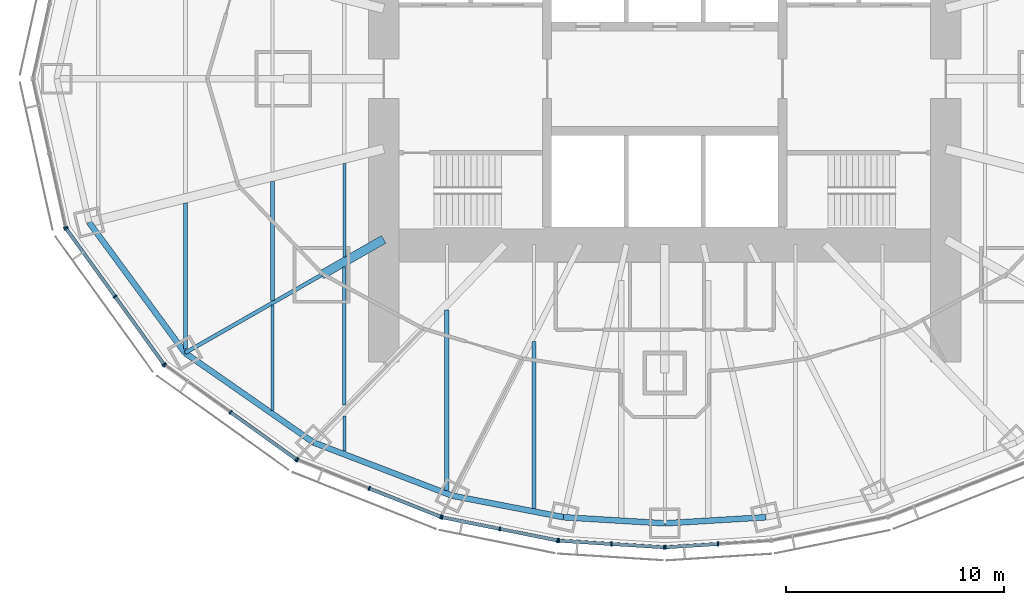
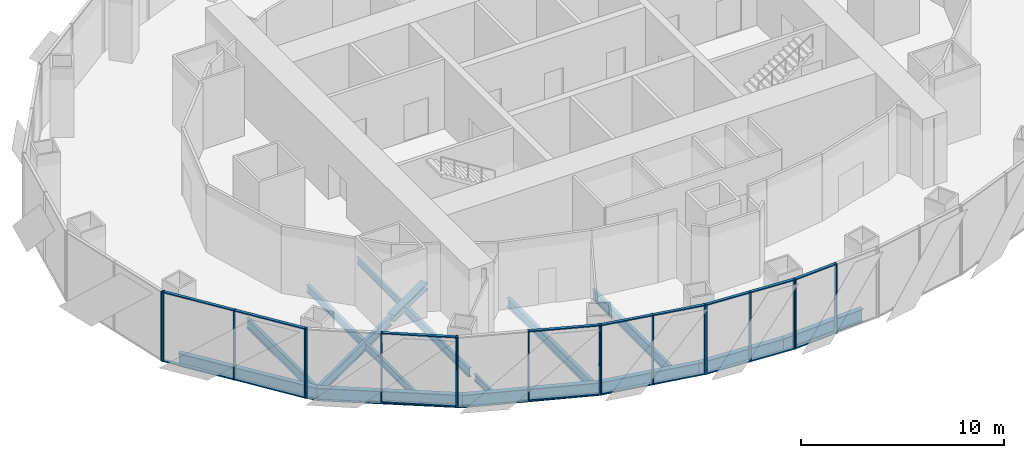
# One storey, part 2 of 18: 36 members, 16 beams, 7 elements without a shape of their own.
"""IFC4 building model written with IfcOpenShell, lengths in metres."""

from ifc_helpers import new_model, si_unit, direction, frame, origin, origin_2d, place, context, subcontext, project, spatial, rectangle, i_section, extrude, material, material_profile, profile_set, type_object, element, aggregate, save


model = new_model("IFC4")

# Units and contexts
model_context = context("Model", 3, precision=1e-05, world=origin(), true_north=direction((0.0, 1.0)))
body_context = subcontext(model_context, "Body", "Model", "MODEL_VIEW")
ifc_project = project(units=[si_unit("LENGTHUNIT", "METRE"), si_unit("AREAUNIT", "SQUARE_METRE"), si_unit("VOLUMEUNIT", "CUBIC_METRE"), si_unit("PLANEANGLEUNIT", "RADIAN"), si_unit("MASSUNIT", "GRAM", prefix="KILO")], contexts=[model_context])

# Site, building, storey
site_placement = place(None, origin())
site = spatial("IfcSite", under=ifc_project, at=site_placement, CompositionType="ELEMENT")
building_placement = place(site_placement, origin())
building = spatial("IfcBuilding", under=site, at=building_placement, Name="Lantaw Convention Tower", CompositionType="ELEMENT")
storey_placement = place(building_placement, frame((0.0, 0.0, 180.39990234375)))
storey = spatial("IfcBuildingStorey", under=building, at=storey_placement, Name="L42", CompositionType="ELEMENT", Elevation=180.39990234375)

# Beams
ifc_material_1 = material(Name="Steel ASTM A992", Category="steel")
ifc_material_profile_1 = material_profile(ifc_material_1, i_section(OverallWidth=0.2666015625, OverallDepth=0.76953125, WebThickness=0.015625, FlangeThickness=0.025390625, FilletRadius=0.0126953125, at=origin_2d()), Name="W30X132")
ifc_profile_set_1 = profile_set([ifc_material_profile_1], Name="Steel ASTM A992")
beam_type_1 = type_object("IfcBeamType", Name="Beam E W30X132", PredefinedType="SPANDREL", material=ifc_profile_set_1)
beam_1_placement = place(storey_placement, frame((-26.419921875, -6.587158203125, -0.53466796875), z_axis=(0.5923891972, -0.805651934176, 0.0), x_axis=(0.805651934176, 0.5923891972, 0.0)))
element("IfcBeam", 1, at=beam_1_placement, inside=storey, type_object=beam_type_1, Name="Edge beam 14", PredefinedType="SPANDREL", context=body_context, shape_type="SweptSolid", body=[
    extrude(i_section(OverallWidth=0.2666015625, OverallDepth=0.76953125, WebThickness=0.015625, FlangeThickness=0.025390625, FilletRadius=0.0126953125, at=origin_2d()), origin(), (0.0, 0.0, 1.0), 7.437744140625),
])
beam_2_placement = place(storey_placement, frame((-22.013916015625, -12.579345703125, -0.53466796875), z_axis=(0.820310765287, -0.57191804339, 0.0), x_axis=(0.57191804339, 0.820310765287, 0.0)))
element("IfcBeam", 2, at=beam_2_placement, inside=storey, type_object=beam_type_1, Name="Edge beam 15", PredefinedType="SPANDREL", context=body_context, shape_type="SweptSolid", body=[
    extrude(i_section(OverallWidth=0.2666015625, OverallDepth=0.76953125, WebThickness=0.015625, FlangeThickness=0.025390625, FilletRadius=0.0126953125, at=origin_2d()), origin(), (0.0, 0.0, 1.0), 7.187744140625),
])
beam_3_placement = place(storey_placement, frame((-16.11767578125, -16.690185546875, -0.53466796875), z_axis=(0.933691081977, -0.358079549033, 0.0), x_axis=(0.358079549033, 0.933691081977, 0.0)))
element("IfcBeam", 3, at=beam_3_placement, inside=storey, type_object=beam_type_1, Name="Edge beam 16", PredefinedType="SPANDREL", context=body_context, shape_type="SweptSolid", body=[
    extrude(i_section(OverallWidth=0.2666015625, OverallDepth=0.76953125, WebThickness=0.015625, FlangeThickness=0.025390625, FilletRadius=0.0126953125, at=origin_2d()), origin(), (0.0, 0.0, 1.0), 6.821533203125),
])
beam_4_placement = place(storey_placement, frame((-9.74853515625, -19.1328125, -0.53466796875), z_axis=(0.981796805654, -0.189934284446, 0.0), x_axis=(0.189934284446, 0.981796805654, 0.0)))
element("IfcBeam", 4, at=beam_4_placement, inside=storey, type_object=beam_type_1, Name="Edge beam 17", PredefinedType="SPANDREL", context=body_context, shape_type="SweptSolid", body=[
    extrude(i_section(OverallWidth=0.2666015625, OverallDepth=0.76953125, WebThickness=0.015625, FlangeThickness=0.025390625, FilletRadius=0.0126953125, at=origin_2d()), origin(), (0.0, 0.0, 1.0), 5.1982421875),
])
for number, where, z_axis, x_axis, name in (
    (5, (-4.64501953125, -20.1201171875, -0.53466796875), (0.998190892054, -0.06012439621, 0.0), (0.06012439621, 0.998190892054, 0.0), "Edge beam 18"),
    (6, (0.0, -20.39990234375, -0.53466796875), (0.998190892054, 0.06012439621, 0.0), (-0.06012439621, 0.998190892054, 0.0), "Edge beam 19"),
):
    element("IfcBeam", number, at=place(storey_placement, frame(where, z_axis=z_axis, x_axis=x_axis)), inside=storey, type_object=beam_type_1, Name=name, PredefinedType="SPANDREL", context=body_context, shape_type="SweptSolid", body=[
        extrude(i_section(OverallWidth=0.2666015625, OverallDepth=0.76953125, WebThickness=0.015625, FlangeThickness=0.025390625, FilletRadius=0.0126953125, at=origin_2d()), origin(), (0.0, 0.0, 1.0), 4.6533203125),
    ])
ifc_material_profile_2 = material_profile(ifc_material_1, i_section(OverallWidth=0.177978515625, OverallDepth=0.599365234375, WebThickness=0.010009765625, FlangeThickness=0.012939453125, FilletRadius=0.012939453125, at=origin_2d()), Name="W24X55")
ifc_profile_set_2 = profile_set([ifc_material_profile_2], Name="Steel ASTM A992")
beam_type_2 = type_object("IfcBeamType", Name="Beam G W24X55", PredefinedType="BEAM", material=ifc_profile_set_2)
beam_5_placement = place(storey_placement, frame((-15.75, -9.0, -0.44970703125), z_axis=(-0.868245224608, -0.496135293993, 0.0), x_axis=(0.496135293993, -0.868245224608, 0.0)))
element("IfcBeam", 7, at=beam_5_placement, inside=storey, type_object=beam_type_2, Name="Floor girder on ray 15", PredefinedType="BEAM", context=body_context, shape_type="SweptSolid", body=[
    extrude(i_section(OverallWidth=0.177978515625, OverallDepth=0.599365234375, WebThickness=0.010009765625, FlangeThickness=0.012939453125, FilletRadius=0.012939453125, at=origin_2d()), origin(), (0.0, 0.0, 1.0), 7.21435546875),
])
ifc_material_profile_3 = material_profile(ifc_material_1, i_section(OverallWidth=0.40380859375, OverallDepth=0.406494140625, WebThickness=0.027099609375, FlangeThickness=0.043701171875, FilletRadius=0.01513671875, at=origin_2d()), Name="W14X233")
ifc_profile_set_3 = profile_set([ifc_material_profile_3], Name="Steel ASTM A992")
beam_type_3 = type_object("IfcBeamType", Name="Beam GM W14X233", PredefinedType="BEAM", material=ifc_profile_set_3)
beam_6_placement = place(storey_placement, frame((-12.89990234375, -7.371337890625, -0.35302734375), z_axis=(-0.868238565244, -0.496146947811, 0.0), x_axis=(0.496146947811, -0.868238565244, 0.0)))
element("IfcBeam", 8, at=beam_6_placement, inside=storey, type_object=beam_type_3, Name="Core link beam on ray 15", PredefinedType="BEAM", context=body_context, shape_type="SweptSolid", body=[
    extrude(i_section(OverallWidth=0.40380859375, OverallDepth=0.406494140625, WebThickness=0.027099609375, FlangeThickness=0.043701171875, FilletRadius=0.01513671875, at=origin_2d()), origin(), (0.0, 0.0, 1.0), 3.28271484375),
])
ifc_material_profile_4 = material_profile(ifc_material_1, i_section(OverallWidth=0.140380859375, OverallDepth=0.40380859375, WebThickness=0.007080078125, FlangeThickness=0.01123046875, FilletRadius=0.01025390625, at=origin_2d()), Name="W16X31")
ifc_profile_set_4 = profile_set([ifc_material_profile_4], Name="Steel ASTM A992")
beam_type_4 = type_object("IfcBeamType", Name="Beam J W16X31", PredefinedType="JOIST", material=ifc_profile_set_4)
beam_7_placement = place(storey_placement, frame((-14.699951171875, -17.091064453125, -0.351806640625), z_axis=(0.0, 1.0, 0.0), x_axis=(-1.0, 0.0, 0.0)))
element("IfcBeam", 9, at=beam_7_placement, inside=storey, type_object=beam_type_4, Name="Floor joist", PredefinedType="JOIST", context=body_context, shape_type="SweptSolid", body=[
    extrude(i_section(OverallWidth=0.140380859375, OverallDepth=0.40380859375, WebThickness=0.007080078125, FlangeThickness=0.01123046875, FilletRadius=0.01025390625, at=origin_2d()), origin(), (0.0, 0.0, 1.0), 1.609130859375),
])
beam_8_placement = place(storey_placement, frame((-14.699951171875, -8.16748046875, -0.351806640625), z_axis=(0.0, 1.0, 0.0), x_axis=(-1.0, 0.0, 0.0)))
element("IfcBeam", 10, at=beam_8_placement, inside=storey, type_object=beam_type_4, Name="Floor joist", PredefinedType="JOIST", context=body_context, shape_type="SweptSolid", body=[
    extrude(i_section(OverallWidth=0.140380859375, OverallDepth=0.40380859375, WebThickness=0.007080078125, FlangeThickness=0.01123046875, FilletRadius=0.01025390625, at=origin_2d()), origin(), (0.0, 0.0, 1.0), 4.28515625),
])
ifc_material_profile_5 = material_profile(ifc_material_1, i_section(OverallWidth=0.15234375, OverallDepth=0.449462890625, WebThickness=0.007568359375, FlangeThickness=0.0107421875, FilletRadius=0.01025390625, at=origin_2d()), Name="W18X35")
ifc_profile_set_5 = profile_set([ifc_material_profile_5], Name="Steel ASTM A992")
beam_type_5 = type_object("IfcBeamType", Name="Beam J W18X35", PredefinedType="JOIST", material=ifc_profile_set_5)
beam_9_placement = place(storey_placement, frame((-18.0, -15.21533203125, -0.374755859375), z_axis=(0.0, 1.0, 0.0), x_axis=(-1.0, 0.0, 0.0)))
element("IfcBeam", 11, at=beam_9_placement, inside=storey, type_object=beam_type_5, Name="Floor joist", PredefinedType="JOIST", context=body_context, shape_type="SweptSolid", body=[
    extrude(i_section(OverallWidth=0.15234375, OverallDepth=0.449462890625, WebThickness=0.007568359375, FlangeThickness=0.0107421875, FilletRadius=0.01025390625, at=origin_2d()), origin(), (0.0, 0.0, 1.0), 4.8271484375),
])
ifc_material_profile_6 = material_profile(ifc_material_1, i_section(OverallWidth=0.1904296875, OverallDepth=0.457275390625, WebThickness=0.009033203125, FlangeThickness=0.014404296875, FilletRadius=0.01025390625, at=origin_2d()), Name="W18X50")
ifc_profile_set_6 = profile_set([ifc_material_profile_6], Name="Steel ASTM A992")
beam_type_6 = type_object("IfcBeamType", Name="Beam J W18X50", PredefinedType="JOIST", material=ifc_profile_set_6)
beam_10_placement = place(storey_placement, frame((-18.0, -10.18310546875, -0.37841796875), z_axis=(0.0, 1.0, 0.0), x_axis=(-1.0, 0.0, 0.0)))
element("IfcBeam", 12, at=beam_10_placement, inside=storey, type_object=beam_type_6, Name="Floor joist", PredefinedType="JOIST", context=body_context, shape_type="SweptSolid", body=[
    extrude(i_section(OverallWidth=0.1904296875, OverallDepth=0.457275390625, WebThickness=0.009033203125, FlangeThickness=0.014404296875, FilletRadius=0.01025390625, at=origin_2d()), origin(), (0.0, 0.0, 1.0), 5.47802734375),
])
ifc_material_profile_7 = material_profile(ifc_material_1, i_section(OverallWidth=0.1650390625, OverallDepth=0.52587890625, WebThickness=0.0087890625, FlangeThickness=0.011474609375, FilletRadius=0.0126953125, at=origin_2d()), Name="W21X44")
ifc_profile_set_7 = profile_set([ifc_material_profile_7], Name="Steel ASTM A992")
beam_type_7 = type_object("IfcBeamType", Name="Beam J W21X44", PredefinedType="JOIST", material=ifc_profile_set_7)
beam_11_placement = place(storey_placement, frame((-14.699951171875, -14.962646484375, -0.412841796875), z_axis=(0.0, 1.0, 0.0), x_axis=(-1.0, 0.0, 0.0)))
element("IfcBeam", 13, at=beam_11_placement, inside=storey, type_object=beam_type_7, Name="Floor joist", PredefinedType="JOIST", context=body_context, shape_type="SweptSolid", body=[
    extrude(i_section(OverallWidth=0.1650390625, OverallDepth=0.52587890625, WebThickness=0.0087890625, FlangeThickness=0.011474609375, FilletRadius=0.0126953125, at=origin_2d()), origin(), (0.0, 0.0, 1.0), 6.330078125),
])
ifc_material_profile_8 = material_profile(ifc_material_1, i_section(OverallWidth=0.2099609375, OverallDepth=0.535888671875, WebThickness=0.010986328125, FlangeThickness=0.017333984375, FilletRadius=0.012939453125, at=origin_2d()), Name="W21X68")
ifc_profile_set_8 = profile_set([ifc_material_profile_8], Name="Steel ASTM A992")
beam_type_8 = type_object("IfcBeamType", Name="Beam J W21X68", PredefinedType="JOIST", material=ifc_profile_set_8)
beam_12_placement = place(storey_placement, frame((-10.0, -18.8935546875, -0.41796875), z_axis=(0.0, 1.0, 0.0), x_axis=(-1.0, 0.0, 0.0)))
element("IfcBeam", 14, at=beam_12_placement, inside=storey, type_object=beam_type_8, Name="Floor joist", PredefinedType="JOIST", context=body_context, shape_type="SweptSolid", body=[
    extrude(i_section(OverallWidth=0.2099609375, OverallDepth=0.535888671875, WebThickness=0.010986328125, FlangeThickness=0.017333984375, FilletRadius=0.012939453125, at=origin_2d()), origin(), (0.0, 0.0, 1.0), 8.278564453125),
])
ifc_material_profile_9 = material_profile(ifc_material_1, i_section(OverallWidth=0.177978515625, OverallDepth=0.599365234375, WebThickness=0.010009765625, FlangeThickness=0.012939453125, FilletRadius=0.012939453125, at=origin_2d()), Name="W24X55")
ifc_profile_set_9 = profile_set([ifc_material_profile_9], Name="Steel ASTM A992")
beam_type_9 = type_object("IfcBeamType", Name="Beam J W24X55", PredefinedType="JOIST", material=ifc_profile_set_9)
beam_13_placement = place(storey_placement, frame((-22.0, -12.408935546875, -0.44970703125), z_axis=(0.0, 1.0, 0.0), x_axis=(-1.0, 0.0, 0.0)))
element("IfcBeam", 15, at=beam_13_placement, inside=storey, type_object=beam_type_9, Name="Floor joist", PredefinedType="JOIST", context=body_context, shape_type="SweptSolid", body=[
    extrude(i_section(OverallWidth=0.177978515625, OverallDepth=0.599365234375, WebThickness=0.010009765625, FlangeThickness=0.012939453125, FilletRadius=0.012939453125, at=origin_2d()), origin(), (0.0, 0.0, 1.0), 6.70654296875),
])
beam_14_placement = place(storey_placement, frame((-6.0, -19.72216796875, -0.44970703125), z_axis=(0.0, 1.0, 0.0), x_axis=(-1.0, 0.0, 0.0)))
element("IfcBeam", 16, at=beam_14_placement, inside=storey, type_object=beam_type_9, Name="Floor joist", PredefinedType="JOIST", context=body_context, shape_type="SweptSolid", body=[
    extrude(i_section(OverallWidth=0.177978515625, OverallDepth=0.599365234375, WebThickness=0.010009765625, FlangeThickness=0.012939453125, FilletRadius=0.012939453125, at=origin_2d()), origin(), (0.0, 0.0, 1.0), 7.666748046875),
])

# Curtain wall, member
ifc_material_2 = material(Name="Aluminium framed curtain wall", Category="aluminium")
curtain_wall_type = type_object("IfcCurtainWallType", Name="Office curtain wall low rise, pale aluminium", PredefinedType="USERDEFINED", material=ifc_material_2)
curtain_wall_1_placement = place(storey_placement, origin())
curtain_wall_1 = element("IfcCurtainWall", 17, at=curtain_wall_1_placement, inside=storey, type_object=curtain_wall_type, Name="Office curtain wall low rise, pale aluminium L42", ObjectType="UNITISED CURTAIN WALL", PredefinedType="USERDEFINED")
ifc_material_3 = material(Name="Aluminium 6063-T6", Category="aluminium")
ifc_material_profile_10 = material_profile(ifc_material_3, rectangle(XDim=0.199951171875, YDim=0.06494140625, at=origin_2d()), Name="CW-O1 mullion 65x200")
ifc_profile_set_10 = profile_set([ifc_material_profile_10], Name="Aluminium 6063-T6")
member_type_1 = type_object("IfcMemberType", Name="CW-O1 mullion 65x200", PredefinedType="MULLION", material=ifc_profile_set_10)
member_1_placement = place(storey_placement, frame((-27.494140625, -6.821533203125, -0.14990234375), z_axis=(0.0, 0.0, 1.0), x_axis=(0.9764936509, 0.215546166174, 0.0)))
member_1 = element("IfcMember", 18, at=member_1_placement, type_object=member_type_1, Name="CW-O1 mullion 3", PredefinedType="MULLION", context=body_context, shape_type="SweptSolid", body=[
    extrude(rectangle(XDim=0.199951171875, YDim=0.06494140625, at=origin_2d()), origin(), (0.0, 0.0, 1.0), 4.199951171875),
])
aggregate(curtain_wall_1, [member_1])

# Curtain wall, members
curtain_wall_2_placement = place(storey_placement, origin())
curtain_wall_2 = element("IfcCurtainWall", 19, at=curtain_wall_2_placement, inside=storey, type_object=curtain_wall_type, Name="Office curtain wall low rise, pale aluminium L42", ObjectType="UNITISED CURTAIN WALL", PredefinedType="USERDEFINED")
member_2_placement = place(storey_placement, frame((-27.46826171875, -6.879638671875, -0.14990234375), z_axis=(0.0, 0.0, 1.0), x_axis=(0.811384633629, 0.584512597221, 0.0)))
member_2 = element("IfcMember", 20, at=member_2_placement, type_object=member_type_1, Name="CW-O1 mullion 1", PredefinedType="MULLION", context=body_context, shape_type="SweptSolid", body=[
    extrude(rectangle(XDim=0.199951171875, YDim=0.06494140625, at=origin_2d()), origin(), (0.0, 0.0, 1.0), 4.199951171875),
])
member_3_placement = place(storey_placement, frame((-25.22802734375, -9.9892578125, -0.14990234375), z_axis=(0.0, 0.0, 1.0), x_axis=(0.811384633629, 0.584512597221, 0.0)))
member_3 = element("IfcMember", 21, at=member_3_placement, type_object=member_type_1, Name="CW-O1 mullion 2", PredefinedType="MULLION", context=body_context, shape_type="SweptSolid", body=[
    extrude(rectangle(XDim=0.199951171875, YDim=0.06494140625, at=origin_2d()), origin(), (0.0, 0.0, 1.0), 4.199951171875),
])
member_4_placement = place(storey_placement, frame((-22.988037109375, -13.098876953125, -0.14990234375), z_axis=(0.0, 0.0, 1.0), x_axis=(0.811384633629, 0.584512597221, 0.0)))
member_4 = element("IfcMember", 22, at=member_4_placement, type_object=member_type_1, Name="CW-O1 mullion 3", PredefinedType="MULLION", context=body_context, shape_type="SweptSolid", body=[
    extrude(rectangle(XDim=0.199951171875, YDim=0.06494140625, at=origin_2d()), origin(), (0.0, 0.0, 1.0), 4.199951171875),
])

curtain_wall_3_placement = place(storey_placement, origin())
curtain_wall_3 = element("IfcCurtainWall", 23, at=curtain_wall_3_placement, inside=storey, type_object=curtain_wall_type, Name="Office curtain wall low rise, pale aluminium L42", ObjectType="UNITISED CURTAIN WALL", PredefinedType="USERDEFINED")
member_5_placement = place(storey_placement, frame((-22.942626953125, -13.14404296875, -0.14990234375), z_axis=(0.0, 0.0, 1.0), x_axis=(0.581972695693, 0.813208325995, 0.0)))
member_5 = element("IfcMember", 24, at=member_5_placement, type_object=member_type_1, Name="CW-O1 mullion 1", PredefinedType="MULLION", context=body_context, shape_type="SweptSolid", body=[
    extrude(rectangle(XDim=0.199951171875, YDim=0.06494140625, at=origin_2d()), origin(), (0.0, 0.0, 1.0), 4.199951171875),
])
member_6_placement = place(storey_placement, frame((-19.92529296875, -15.303466796875, -0.14990234375), z_axis=(0.0, 0.0, 1.0), x_axis=(0.581972695693, 0.813208325995, 0.0)))
member_6 = element("IfcMember", 25, at=member_6_placement, type_object=member_type_1, Name="CW-O1 mullion 2", PredefinedType="MULLION", context=body_context, shape_type="SweptSolid", body=[
    extrude(rectangle(XDim=0.199951171875, YDim=0.06494140625, at=origin_2d()), origin(), (0.0, 0.0, 1.0), 4.199951171875),
])
member_7_placement = place(storey_placement, frame((-16.908203125, -17.462646484375, -0.14990234375), z_axis=(0.0, 0.0, 1.0), x_axis=(0.581972695693, 0.813208325995, 0.0)))
member_7 = element("IfcMember", 26, at=member_7_placement, type_object=member_type_1, Name="CW-O1 mullion 3", PredefinedType="MULLION", context=body_context, shape_type="SweptSolid", body=[
    extrude(rectangle(XDim=0.199951171875, YDim=0.06494140625, at=origin_2d()), origin(), (0.0, 0.0, 1.0), 4.199951171875),
])

curtain_wall_4_placement = place(storey_placement, origin())
curtain_wall_4 = element("IfcCurtainWall", 27, at=curtain_wall_4_placement, inside=storey, type_object=curtain_wall_type, Name="Office curtain wall low rise, pale aluminium L42", ObjectType="UNITISED CURTAIN WALL", PredefinedType="USERDEFINED")
member_8_placement = place(storey_placement, frame((-16.8515625, -17.49365234375, -0.14990234375), z_axis=(0.0, 0.0, 1.0), x_axis=(0.368701907483, 0.929547687544, 0.0)))
member_8 = element("IfcMember", 28, at=member_8_placement, type_object=member_type_1, Name="CW-O1 mullion 1", PredefinedType="MULLION", context=body_context, shape_type="SweptSolid", body=[
    extrude(rectangle(XDim=0.199951171875, YDim=0.06494140625, at=origin_2d()), origin(), (0.0, 0.0, 1.0), 4.199951171875),
])
member_9_placement = place(storey_placement, frame((-13.56494140625, -18.797119140625, -0.14990234375), z_axis=(0.0, 0.0, 1.0), x_axis=(0.368701907483, 0.929547687544, 0.0)))
member_9 = element("IfcMember", 29, at=member_9_placement, type_object=member_type_1, Name="CW-O1 mullion 2", PredefinedType="MULLION", context=body_context, shape_type="SweptSolid", body=[
    extrude(rectangle(XDim=0.199951171875, YDim=0.06494140625, at=origin_2d()), origin(), (0.0, 0.0, 1.0), 4.199951171875),
])
member_10_placement = place(storey_placement, frame((-10.2783203125, -20.100830078125, -0.14990234375), z_axis=(0.0, 0.0, 1.0), x_axis=(0.368701907483, 0.929547687544, 0.0)))
member_10 = element("IfcMember", 30, at=member_10_placement, type_object=member_type_1, Name="CW-O1 mullion 3", PredefinedType="MULLION", context=body_context, shape_type="SweptSolid", body=[
    extrude(rectangle(XDim=0.199951171875, YDim=0.06494140625, at=origin_2d()), origin(), (0.0, 0.0, 1.0), 4.199951171875),
])

curtain_wall_5_placement = place(storey_placement, origin())
curtain_wall_5 = element("IfcCurtainWall", 31, at=curtain_wall_5_placement, inside=storey, type_object=curtain_wall_type, Name="Office curtain wall low rise, pale aluminium L42", ObjectType="UNITISED CURTAIN WALL", PredefinedType="USERDEFINED")
member_11_placement = place(storey_placement, frame((-10.216064453125, -20.119140625, -0.14990234375), z_axis=(0.0, 0.0, 1.0), x_axis=(0.197506809659, 0.980301514912, 0.0)))
member_11 = element("IfcMember", 32, at=member_11_placement, type_object=member_type_1, Name="CW-O1 mullion 1", PredefinedType="MULLION", context=body_context, shape_type="SweptSolid", body=[
    extrude(rectangle(XDim=0.199951171875, YDim=0.06494140625, at=origin_2d()), origin(), (0.0, 0.0, 1.0), 4.199951171875),
])
member_12_placement = place(storey_placement, frame((-7.5703125, -20.65234375, -0.14990234375), z_axis=(0.0, 0.0, 1.0), x_axis=(0.197506809659, 0.980301514912, 0.0)))
member_12 = element("IfcMember", 33, at=member_12_placement, type_object=member_type_1, Name="CW-O1 mullion 2", PredefinedType="MULLION", context=body_context, shape_type="SweptSolid", body=[
    extrude(rectangle(XDim=0.199951171875, YDim=0.06494140625, at=origin_2d()), origin(), (0.0, 0.0, 1.0), 4.199951171875),
])
member_13_placement = place(storey_placement, frame((-4.92431640625, -21.185302734375, -0.14990234375), z_axis=(0.0, 0.0, 1.0), x_axis=(0.197506809659, 0.980301514912, 0.0)))
member_13 = element("IfcMember", 34, at=member_13_placement, type_object=member_type_1, Name="CW-O1 mullion 3", PredefinedType="MULLION", context=body_context, shape_type="SweptSolid", body=[
    extrude(rectangle(XDim=0.199951171875, YDim=0.06494140625, at=origin_2d()), origin(), (0.0, 0.0, 1.0), 4.199951171875),
])

curtain_wall_6_placement = place(storey_placement, origin())
curtain_wall_6 = element("IfcCurtainWall", 35, at=curtain_wall_6_placement, inside=storey, type_object=curtain_wall_type, Name="Office curtain wall low rise, pale aluminium L42", ObjectType="UNITISED CURTAIN WALL", PredefinedType="USERDEFINED")
member_14_placement = place(storey_placement, frame((-4.860107421875, -21.19384765625, -0.14990234375), z_axis=(0.0, 0.0, 1.0), x_axis=(0.062865059466, 0.998022035978, 0.0)))
member_14 = element("IfcMember", 36, at=member_14_placement, type_object=member_type_1, Name="CW-O1 mullion 1", PredefinedType="MULLION", context=body_context, shape_type="SweptSolid", body=[
    extrude(rectangle(XDim=0.199951171875, YDim=0.06494140625, at=origin_2d()), origin(), (0.0, 0.0, 1.0), 4.199951171875),
])
member_15_placement = place(storey_placement, frame((-2.4462890625, -21.345947265625, -0.14990234375), z_axis=(0.0, 0.0, 1.0), x_axis=(0.062865059466, 0.998022035978, 0.0)))
member_15 = element("IfcMember", 37, at=member_15_placement, type_object=member_type_1, Name="CW-O1 mullion 2", PredefinedType="MULLION", context=body_context, shape_type="SweptSolid", body=[
    extrude(rectangle(XDim=0.199951171875, YDim=0.06494140625, at=origin_2d()), origin(), (0.0, 0.0, 1.0), 4.199951171875),
])
member_16_placement = place(storey_placement, frame((-0.032470703125, -21.498046875, -0.14990234375), z_axis=(0.0, 0.0, 1.0), x_axis=(0.062865059466, 0.998022035978, 0.0)))
member_16 = element("IfcMember", 38, at=member_16_placement, type_object=member_type_1, Name="CW-O1 mullion 3", PredefinedType="MULLION", context=body_context, shape_type="SweptSolid", body=[
    extrude(rectangle(XDim=0.199951171875, YDim=0.06494140625, at=origin_2d()), origin(), (0.0, 0.0, 1.0), 4.199951171875),
])

curtain_wall_7_placement = place(storey_placement, origin())
curtain_wall_7 = element("IfcCurtainWall", 39, at=curtain_wall_7_placement, inside=storey, type_object=curtain_wall_type, Name="Office curtain wall low rise, pale aluminium L42", ObjectType="UNITISED CURTAIN WALL", PredefinedType="USERDEFINED")
member_17_placement = place(storey_placement, frame((0.032470703125, -21.498046875, -0.14990234375), z_axis=(0.0, 0.0, 1.0), x_axis=(-0.062865059466, 0.998022035978, 0.0)))
member_17 = element("IfcMember", 40, at=member_17_placement, type_object=member_type_1, Name="CW-O1 mullion 1", PredefinedType="MULLION", context=body_context, shape_type="SweptSolid", body=[
    extrude(rectangle(XDim=0.199951171875, YDim=0.06494140625, at=origin_2d()), origin(), (0.0, 0.0, 1.0), 4.199951171875),
])
member_18_placement = place(storey_placement, frame((2.4462890625, -21.345947265625, -0.14990234375), z_axis=(0.0, 0.0, 1.0), x_axis=(-0.062865059466, 0.998022035978, 0.0)))
member_18 = element("IfcMember", 41, at=member_18_placement, type_object=member_type_1, Name="CW-O1 mullion 2", PredefinedType="MULLION", context=body_context, shape_type="SweptSolid", body=[
    extrude(rectangle(XDim=0.199951171875, YDim=0.06494140625, at=origin_2d()), origin(), (0.0, 0.0, 1.0), 4.199951171875),
])

# Member
ifc_material_profile_11 = material_profile(ifc_material_3, rectangle(XDim=0.159912109375, YDim=0.06494140625, at=origin_2d()), Name="CW-O1 transom 65x160")
ifc_profile_set_11 = profile_set([ifc_material_profile_11], Name="Aluminium 6063-T6")
member_type_2 = type_object("IfcMemberType", Name="CW-O1 transom 65x160", PredefinedType="USERDEFINED", material=ifc_profile_set_11)
member_19_placement = place(storey_placement, frame((-27.44921875, -6.906005859375, -0.117431640625), z_axis=(0.584512973979, -0.811384362217, 0.0), x_axis=(0.811384362217, 0.584512973979, 0.0)))
member_19 = element("IfcMember", 42, at=member_19_placement, type_object=member_type_2, Name="CW-O1 transom 1.1", ObjectType="TRANSOM", PredefinedType="USERDEFINED", context=body_context, shape_type="SweptSolid", body=[
    extrude(rectangle(XDim=0.159912109375, YDim=0.06494140625, at=origin_2d()), origin(), (0.0, 0.0, 1.0), 3.767578125),
])

member_20_placement = place(storey_placement, frame((-27.44921875, -6.906005859375, 4.017578125), z_axis=(0.584512973979, -0.811384362217, 0.0), x_axis=(0.811384362217, 0.584512973979, 0.0)))
member_20 = element("IfcMember", 43, at=member_20_placement, type_object=member_type_2, Name="CW-O1 transom 1.2", ObjectType="TRANSOM", PredefinedType="USERDEFINED", context=body_context, shape_type="SweptSolid", body=[
    extrude(rectangle(XDim=0.159912109375, YDim=0.06494140625, at=origin_2d()), origin(), (0.0, 0.0, 1.0), 3.767578125),
])

member_21_placement = place(storey_placement, frame((-25.209228515625, -10.015625, -0.117431640625), z_axis=(0.584512973979, -0.811384362217, 0.0), x_axis=(0.811384362217, 0.584512973979, 0.0)))
member_21 = element("IfcMember", 44, at=member_21_placement, type_object=member_type_2, Name="CW-O1 transom 2.1", ObjectType="TRANSOM", PredefinedType="USERDEFINED", context=body_context, shape_type="SweptSolid", body=[
    extrude(rectangle(XDim=0.159912109375, YDim=0.06494140625, at=origin_2d()), origin(), (0.0, 0.0, 1.0), 3.767578125),
])

member_22_placement = place(storey_placement, frame((-25.209228515625, -10.015625, 4.017578125), z_axis=(0.584512973979, -0.811384362217, 0.0), x_axis=(0.811384362217, 0.584512973979, 0.0)))
member_22 = element("IfcMember", 45, at=member_22_placement, type_object=member_type_2, Name="CW-O1 transom 2.2", ObjectType="TRANSOM", PredefinedType="USERDEFINED", context=body_context, shape_type="SweptSolid", body=[
    extrude(rectangle(XDim=0.159912109375, YDim=0.06494140625, at=origin_2d()), origin(), (0.0, 0.0, 1.0), 3.767578125),
])

aggregate(curtain_wall_2, [member_2, member_3, member_4, member_19, member_20, member_21, member_22])

member_23_placement = place(storey_placement, frame((-19.89892578125, -15.322265625, -0.117431640625), z_axis=(0.813190089133, -0.581998177777, 0.0), x_axis=(0.581998177777, 0.813190089133, 0.0)))
member_23 = element("IfcMember", 46, at=member_23_placement, type_object=member_type_2, Name="CW-O1 transom 2.1", ObjectType="TRANSOM", PredefinedType="USERDEFINED", context=body_context, shape_type="SweptSolid", body=[
    extrude(rectangle(XDim=0.159912109375, YDim=0.06494140625, at=origin_2d()), origin(), (0.0, 0.0, 1.0), 3.645263671875),
])

member_24_placement = place(storey_placement, frame((-19.89892578125, -15.322265625, 4.017578125), z_axis=(0.813190089133, -0.581998177777, 0.0), x_axis=(0.581998177777, 0.813190089133, 0.0)))
member_24 = element("IfcMember", 47, at=member_24_placement, type_object=member_type_2, Name="CW-O1 transom 2.2", ObjectType="TRANSOM", PredefinedType="USERDEFINED", context=body_context, shape_type="SweptSolid", body=[
    extrude(rectangle(XDim=0.159912109375, YDim=0.06494140625, at=origin_2d()), origin(), (0.0, 0.0, 1.0), 3.645263671875),
])

aggregate(curtain_wall_3, [member_5, member_6, member_7, member_23, member_24])

member_25_placement = place(storey_placement, frame((-13.53466796875, -18.80908203125, -0.117431640625), z_axis=(0.929540081544, -0.368721082668, 0.0), x_axis=(0.368721082668, 0.929540081544, 0.0)))
member_25 = element("IfcMember", 48, at=member_25_placement, type_object=member_type_2, Name="CW-O1 transom 2.1", ObjectType="TRANSOM", PredefinedType="USERDEFINED", context=body_context, shape_type="SweptSolid", body=[
    extrude(rectangle(XDim=0.159912109375, YDim=0.06494140625, at=origin_2d()), origin(), (0.0, 0.0, 1.0), 3.470947265625),
])

member_26_placement = place(storey_placement, frame((-13.53466796875, -18.80908203125, 4.017578125), z_axis=(0.929540081544, -0.368721082668, 0.0), x_axis=(0.368721082668, 0.929540081544, 0.0)))
member_26 = element("IfcMember", 49, at=member_26_placement, type_object=member_type_2, Name="CW-O1 transom 2.2", ObjectType="TRANSOM", PredefinedType="USERDEFINED", context=body_context, shape_type="SweptSolid", body=[
    extrude(rectangle(XDim=0.159912109375, YDim=0.06494140625, at=origin_2d()), origin(), (0.0, 0.0, 1.0), 3.470947265625),
])

aggregate(curtain_wall_4, [member_8, member_9, member_10, member_25, member_26])

member_27_placement = place(storey_placement, frame((-10.184326171875, -20.125732421875, -0.117431640625), z_axis=(0.980301643003, -0.197506173891, 0.0), x_axis=(0.197506173891, 0.980301643003, 0.0)))
member_27 = element("IfcMember", 50, at=member_27_placement, type_object=member_type_2, Name="CW-O1 transom 1.1", ObjectType="TRANSOM", PredefinedType="USERDEFINED", context=body_context, shape_type="SweptSolid", body=[
    extrude(rectangle(XDim=0.159912109375, YDim=0.06494140625, at=origin_2d()), origin(), (0.0, 0.0, 1.0), 2.63427734375),
])

member_28_placement = place(storey_placement, frame((-10.184326171875, -20.125732421875, 4.017578125), z_axis=(0.980301643003, -0.197506173891, 0.0), x_axis=(0.197506173891, 0.980301643003, 0.0)))
member_28 = element("IfcMember", 51, at=member_28_placement, type_object=member_type_2, Name="CW-O1 transom 1.2", ObjectType="TRANSOM", PredefinedType="USERDEFINED", context=body_context, shape_type="SweptSolid", body=[
    extrude(rectangle(XDim=0.159912109375, YDim=0.06494140625, at=origin_2d()), origin(), (0.0, 0.0, 1.0), 2.63427734375),
])

member_29_placement = place(storey_placement, frame((-7.538330078125, -20.65869140625, -0.117431640625), z_axis=(0.980298027092, -0.197524120247, 0.0), x_axis=(0.197524120247, 0.980298027092, 0.0)))
member_29 = element("IfcMember", 52, at=member_29_placement, type_object=member_type_2, Name="CW-O1 transom 2.1", ObjectType="TRANSOM", PredefinedType="USERDEFINED", context=body_context, shape_type="SweptSolid", body=[
    extrude(rectangle(XDim=0.159912109375, YDim=0.06494140625, at=origin_2d()), origin(), (0.0, 0.0, 1.0), 2.634033203125),
])

member_30_placement = place(storey_placement, frame((-7.538330078125, -20.65869140625, 4.017578125), z_axis=(0.980298027092, -0.197524120247, 0.0), x_axis=(0.197524120247, 0.980298027092, 0.0)))
member_30 = element("IfcMember", 53, at=member_30_placement, type_object=member_type_2, Name="CW-O1 transom 2.2", ObjectType="TRANSOM", PredefinedType="USERDEFINED", context=body_context, shape_type="SweptSolid", body=[
    extrude(rectangle(XDim=0.159912109375, YDim=0.06494140625, at=origin_2d()), origin(), (0.0, 0.0, 1.0), 2.634033203125),
])

aggregate(curtain_wall_5, [member_11, member_12, member_13, member_27, member_28, member_29, member_30])

member_31_placement = place(storey_placement, frame((-4.82763671875, -21.19580078125, -0.117431640625), z_axis=(0.998022188463, -0.062862638625, 0.0), x_axis=(0.062862638625, 0.998022188463, 0.0)))
member_31 = element("IfcMember", 54, at=member_31_placement, type_object=member_type_2, Name="CW-O1 transom 1.1", ObjectType="TRANSOM", PredefinedType="USERDEFINED", context=body_context, shape_type="SweptSolid", body=[
    extrude(rectangle(XDim=0.159912109375, YDim=0.06494140625, at=origin_2d()), origin(), (0.0, 0.0, 1.0), 2.353515625),
])

member_32_placement = place(storey_placement, frame((-4.82763671875, -21.19580078125, 4.017578125), z_axis=(0.998022188463, -0.062862638625, 0.0), x_axis=(0.062862638625, 0.998022188463, 0.0)))
member_32 = element("IfcMember", 55, at=member_32_placement, type_object=member_type_2, Name="CW-O1 transom 1.2", ObjectType="TRANSOM", PredefinedType="USERDEFINED", context=body_context, shape_type="SweptSolid", body=[
    extrude(rectangle(XDim=0.159912109375, YDim=0.06494140625, at=origin_2d()), origin(), (0.0, 0.0, 1.0), 2.353515625),
])

member_33_placement = place(storey_placement, frame((-2.413818359375, -21.347900390625, -0.117431640625), z_axis=(0.998022188463, -0.062862638625, 0.0), x_axis=(0.062862638625, 0.998022188463, 0.0)))
member_33 = element("IfcMember", 56, at=member_33_placement, type_object=member_type_2, Name="CW-O1 transom 2.1", ObjectType="TRANSOM", PredefinedType="USERDEFINED", context=body_context, shape_type="SweptSolid", body=[
    extrude(rectangle(XDim=0.159912109375, YDim=0.06494140625, at=origin_2d()), origin(), (0.0, 0.0, 1.0), 2.353515625),
])

member_34_placement = place(storey_placement, frame((-2.413818359375, -21.347900390625, 4.017578125), z_axis=(0.998022188463, -0.062862638625, 0.0), x_axis=(0.062862638625, 0.998022188463, 0.0)))
member_34 = element("IfcMember", 57, at=member_34_placement, type_object=member_type_2, Name="CW-O1 transom 2.2", ObjectType="TRANSOM", PredefinedType="USERDEFINED", context=body_context, shape_type="SweptSolid", body=[
    extrude(rectangle(XDim=0.159912109375, YDim=0.06494140625, at=origin_2d()), origin(), (0.0, 0.0, 1.0), 2.353515625),
])

aggregate(curtain_wall_6, [member_14, member_15, member_16, member_31, member_32, member_33, member_34])

member_35_placement = place(storey_placement, frame((0.06494140625, -21.495849609375, -0.117431640625), z_axis=(0.998022188463, 0.062862638625, 0.0), x_axis=(-0.062862638625, 0.998022188463, 0.0)))
member_35 = element("IfcMember", 58, at=member_35_placement, type_object=member_type_2, Name="CW-O1 transom 1.1", ObjectType="TRANSOM", PredefinedType="USERDEFINED", context=body_context, shape_type="SweptSolid", body=[
    extrude(rectangle(XDim=0.159912109375, YDim=0.06494140625, at=origin_2d()), origin(), (0.0, 0.0, 1.0), 2.353515625),
])

member_36_placement = place(storey_placement, frame((0.06494140625, -21.495849609375, 4.017578125), z_axis=(0.998022188463, 0.062862638625, 0.0), x_axis=(-0.062862638625, 0.998022188463, 0.0)))
member_36 = element("IfcMember", 59, at=member_36_placement, type_object=member_type_2, Name="CW-O1 transom 1.2", ObjectType="TRANSOM", PredefinedType="USERDEFINED", context=body_context, shape_type="SweptSolid", body=[
    extrude(rectangle(XDim=0.159912109375, YDim=0.06494140625, at=origin_2d()), origin(), (0.0, 0.0, 1.0), 2.353515625),
])

aggregate(curtain_wall_7, [member_17, member_18, member_35, member_36])

save(model, "model.ifc")
